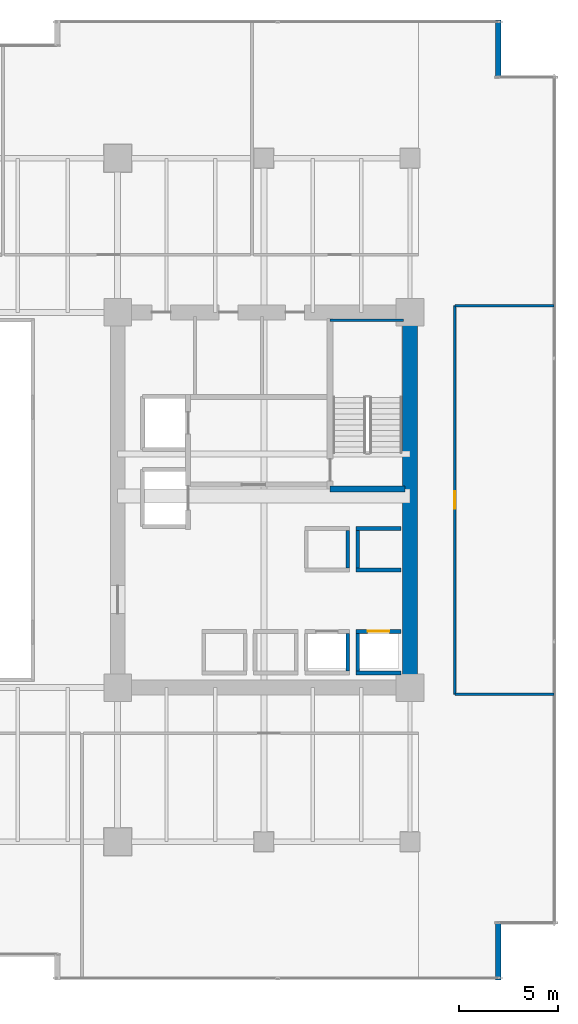
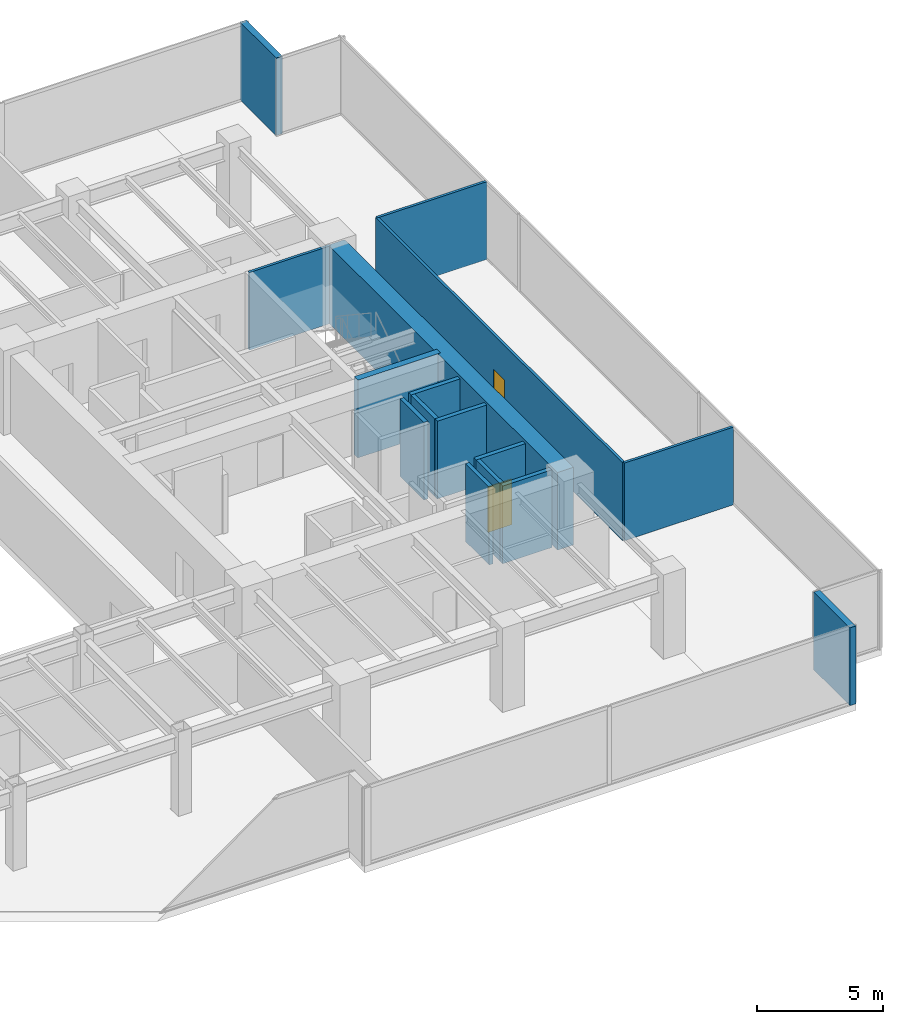
# One storey, part 32 of 37: 16 walls, 2 doors, 2 openings.
"""IFC4 building model written with IfcOpenShell, lengths in metres."""

from ifc_helpers import new_model, si_unit, direction, frame, frame_2d, origin, place, context, subcontext, project, spatial, rectangle, extrude, source, transform, mapped, material, layer, layer_set, type_object, type_shapes, element, fill, save


model = new_model("IFC4")

# Units and contexts
model_context = context("Model", 3, precision=1e-05, world=origin(), true_north=direction((0.0, 1.0)))
body_context = subcontext(model_context, "Body", "Model", "MODEL_VIEW")
ifc_project = project(units=[si_unit("LENGTHUNIT", "METRE"), si_unit("AREAUNIT", "SQUARE_METRE"), si_unit("VOLUMEUNIT", "CUBIC_METRE"), si_unit("PLANEANGLEUNIT", "RADIAN"), si_unit("MASSUNIT", "GRAM", prefix="KILO")], contexts=[model_context])

# Site, building, storey
site_placement = place(None, origin())
site = spatial("IfcSite", under=ifc_project, at=site_placement, CompositionType="ELEMENT")
building_placement = place(site_placement, origin())
building = spatial("IfcBuilding", under=site, at=building_placement, Name="Haelvirn Gate Laboratories", CompositionType="ELEMENT")
storey_placement = place(building_placement, frame((0.0, 0.0, 78.5)))
storey = spatial("IfcBuildingStorey", under=building, at=storey_placement, Name="L19", CompositionType="ELEMENT", Elevation=78.5)

# Walls
ifc_material_1 = material(Name="Thermally-broken bronze aluminium rainscreen & mineral wool", Category="aluminium")
ifc_layer_1 = layer(ifc_material_1, 0.280029296875, Name="EW-TERR-280")
ifc_layer_set_1 = layer_set([ifc_layer_1], Name="Thermally-broken bronze aluminium rainscreen & mineral wool")
wall_type_1 = type_object("IfcWallType", Name="EW-TERR-280", PredefinedType="STANDARD", material=ifc_layer_set_1)
wall_1_placement = place(storey_placement, frame((71.860107421875, 0.0, 0.0), z_axis=(0.0, 0.0, 1.0), x_axis=(0.0, 1.0, 0.0)))
element("IfcWall", 1, at=wall_1_placement, inside=storey, type_object=wall_type_1, Name="L19 Atrium Recess Bronze Return Wall 05", PredefinedType="STANDARD", context=body_context, shape_type="SweptSolid", body=[
    extrude(rectangle(XDim=2.887939453125, YDim=0.280029296875, at=frame_2d((1.44384765625, 0.0))), origin(), (0.0, 0.0, 1.0), 3.780029296875),
])
wall_2_placement = place(storey_placement, frame((71.860107421875, 45.7119140625, 0.0), z_axis=(0.0, 0.0, 1.0), x_axis=(0.0, 1.0, 0.0)))
element("IfcWall", 2, at=wall_2_placement, inside=storey, type_object=wall_type_1, Name="L19 Atrium Recess Bronze Return Wall 09", PredefinedType="STANDARD", context=body_context, shape_type="SweptSolid", body=[
    extrude(rectangle(XDim=2.88818359375, YDim=0.280029296875, at=frame_2d((1.444091796875, 0.0))), origin(), (0.0, 0.0, 1.0), 3.780029296875),
])
ifc_material_2 = material(Name="Lightweight acoustic gypsum board partition", Category="gypsum")
ifc_layer_2 = layer(ifc_material_2, 0.1201171875, Name="IW-PART-120")
ifc_layer_set_2 = layer_set([ifc_layer_2], Name="Lightweight acoustic gypsum board partition")
wall_type_2 = type_object("IfcWallType", Name="IW-PART-120", PredefinedType="PARTITIONING", material=ifc_layer_set_2)
for number, where, z_axis, x_axis, name in (
    (3, (69.669921875, 14.465087890625, 0.0), (0.0, 0.0, 1.0), (1.0, 0.0, 0.0), "L19 Interior Wall IW-L19-ECAP-S"),
    (4, (69.669921875, 34.135009765625, 0.0), (0.0, 0.0, 1.0), (1.0, 0.0, 0.0), "L19 Interior Wall IW-L19-ECAP-N"),
):
    element("IfcWall", number, at=place(storey_placement, frame(where, z_axis=z_axis, x_axis=x_axis)), inside=storey, type_object=wall_type_2, Name=name, PredefinedType="PARTITIONING", context=body_context, shape_type="SweptSolid", body=[
        extrude(rectangle(XDim=5.02001953125, YDim=0.1201171875, at=frame_2d((2.510009765625, 0.0))), origin(), (0.0, 0.0, 1.0), 3.780029296875),
    ])

# Wall, opening, door
wall_3_placement = place(storey_placement, frame((69.669921875, 14.465087890625, 0.0), z_axis=(0.0, 0.0, 1.0), x_axis=(0.0, 1.0, 0.0)))
wall_3 = element("IfcWall", 5, at=wall_3_placement, inside=storey, type_object=wall_type_2, Name="L19 Interior Wall IW-L19-EPASS-01", PredefinedType="PARTITIONING", context=body_context, shape_type="SweptSolid", body=[
    extrude(rectangle(XDim=19.669921875, YDim=0.1201171875, at=frame_2d((9.8349609375, 0.0))), origin(), (0.0, 0.0, 1.0), 3.780029296875),
])
opening_1_placement = place(wall_3_placement, frame((9.385009765625, 0.0, 0.0)))
opening_1 = element("IfcOpeningElement", 6, at=opening_1_placement, cuts=wall_3, Name="Opening D4", PredefinedType="OPENING", context=body_context, shape_type="SweptSolid", body=[
    extrude(rectangle(XDim=0.89990234375, YDim=2.10009765625, at=frame_2d((0.449951171875, 1.050048828125))), frame((0.0, 0.070068359375, 0.0), z_axis=(0.0, -1.0, 0.0), x_axis=(1.0, 0.0, 0.0)), (0.0, 0.0, 1.0), 0.14013671875),
])
ifc_material_3 = material(Name="Glazed aluminium-framed write-up door", Category="aluminium")
door_type_1 = type_object("IfcDoorType", Name="DR-OFF-900", OperationType="NOTDEFINED", PredefinedType="DOOR", material=ifc_material_3)
shared_shape_1 = source(origin(), body_context, "Body", "SweptSolid", [
    extrude(rectangle(XDim=0.89990234375, YDim=2.10009765625, at=frame_2d((0.449951171875, 1.050048828125))), frame((0.0, 0.02490234375, 0.0), z_axis=(0.0, -1.0, 0.0), x_axis=(1.0, 0.0, 0.0)), (0.0, 0.0, 1.0), 0.050048828125),
])
type_shapes(door_type_1, [shared_shape_1])
door_1_placement = place(opening_1_placement, origin())
door_1 = element("IfcDoor", 7, at=door_1_placement, inside=storey, type_object=door_type_1, Name="L19 Genomics Assay Laboratory Door E1", OperationType="SINGLE_SWING_LEFT", OverallHeight=2.10009765625, OverallWidth=0.89990234375, PredefinedType="DOOR", context=body_context, shape_type="MappedRepresentation", body=[
    mapped(shared_shape_1, transform((0.0, 0.0, 0.0), scale=1.0)),
])
fill(opening_1, door_1)

# Walls
ifc_material_4 = material(Name="Concrete C40/50", Category="concrete")
ifc_layer_3 = layer(ifc_material_4, 0.179931640625, Name="IW-SHAFT-180")
ifc_layer_set_3 = layer_set([ifc_layer_3], Name="Concrete C40/50")
wall_type_3 = type_object("IfcWallType", Name="IW-SHAFT-180", PredefinedType="SOLIDWALL", material=ifc_layer_set_3)
for number, where, z_axis, x_axis, name in (
    (8, (64.75, 15.64990234375, 0.0), (0.0, 0.0, 1.0), (0.0, 1.0, 0.0), "L19 Interior Wall IW-L19-PL3-SD"),
    (9, (64.25, 15.64990234375, 0.0), (0.0, 0.0, 1.0), (0.0, 1.0, 0.0), "L19 Interior Wall IW-L19-PL4-SDE"),
):
    element("IfcWall", number, at=place(storey_placement, frame(where, z_axis=z_axis, x_axis=x_axis)), inside=storey, type_object=wall_type_3, Name=name, PredefinedType="SOLIDWALL", context=body_context, shape_type="SweptSolid", body=[
        extrude(rectangle(XDim=1.900146484375, YDim=0.179931640625, at=frame_2d((0.9501953125, 0.0))), origin(), (0.0, 0.0, 1.0), 3.780029296875),
    ])
for number, where, z_axis, x_axis, name in (
    (10, (64.75, 20.85009765625, 0.0), (0.0, 0.0, 1.0), (0.0, 1.0, 0.0), "L19 Interior Wall IW-L19-PL11-SD"),
    (11, (64.25, 20.85009765625, 0.0), (0.0, 0.0, 1.0), (0.0, 1.0, 0.0), "L19 Interior Wall IW-L19-PL12-SDE"),
):
    element("IfcWall", number, at=place(storey_placement, frame(where, z_axis=z_axis, x_axis=x_axis)), inside=storey, type_object=wall_type_3, Name=name, PredefinedType="SOLIDWALL", context=body_context, shape_type="SweptSolid", body=[
        extrude(rectangle(XDim=1.89990234375, YDim=0.179931640625, at=frame_2d((0.949951171875, 0.0))), origin(), (0.0, 0.0, 1.0), 3.780029296875),
    ])

# Wall, opening, door
ifc_layer_4 = layer(ifc_material_4, 0.199951171875, Name="IW-SHAFT-200")
ifc_layer_set_4 = layer_set([ifc_layer_4], Name="Concrete C40/50")
wall_type_4 = type_object("IfcWallType", Name="IW-SHAFT-200", PredefinedType="SOLIDWALL", material=ifc_layer_set_4)
wall_4_placement = place(storey_placement, frame((64.669921875, 17.64990234375, 0.0), z_axis=(0.0, 0.0, 1.0), x_axis=(1.0, 0.0, 0.0)))
wall_4 = element("IfcWall", 12, at=wall_4_placement, inside=storey, type_object=wall_type_4, Name="L19 Interior Wall IW-L19-PL3-FR", PredefinedType="SOLIDWALL", context=body_context, shape_type="SweptSolid", body=[
    extrude(rectangle(XDim=2.260009765625, YDim=0.199951171875, at=frame_2d((1.1298828125, 0.0))), origin(), (0.0, 0.0, 1.0), 3.780029296875),
])
opening_2_placement = place(wall_4_placement, frame((0.580078125, 0.0, 0.0)))
opening_2 = element("IfcOpeningElement", 13, at=opening_2_placement, cuts=wall_4, Name="Opening LD2", PredefinedType="OPENING", context=body_context, shape_type="SweptSolid", body=[
    extrude(rectangle(XDim=1.10009765625, YDim=2.219970703125, at=frame_2d((0.550048828125, 1.10986328125))), frame((0.0, 0.10986328125, 0.0), z_axis=(0.0, -1.0, 0.0), x_axis=(1.0, 0.0, 0.0)), (0.0, 0.0, 1.0), 0.219970703125),
])
ifc_material_5 = material(Name="Bronze stainless 316L sliding lift landing door")
door_type_2 = type_object("IfcDoorType", Name="DR-LD-1100", OperationType="NOTDEFINED", PredefinedType="USERDEFINED", material=ifc_material_5)
shared_shape_2 = source(origin(), body_context, "Body", "SweptSolid", [
    extrude(rectangle(XDim=1.10009765625, YDim=2.219970703125, at=frame_2d((0.550048828125, 1.10986328125))), frame((0.0, 0.02490234375, 0.0), z_axis=(0.0, -1.0, 0.0), x_axis=(1.0, 0.0, 0.0)), (0.0, 0.0, 1.0), 0.050048828125),
])
type_shapes(door_type_2, [shared_shape_2])
door_2_placement = place(opening_2_placement, origin())
door_2 = element("IfcDoor", 14, at=door_2_placement, inside=storey, type_object=door_type_2, Name="L19 Passenger Lift PL3 Landing Door", ObjectType="LANDING_DOOR", OperationType="SLIDING_TO_LEFT", OverallHeight=2.219970703125, OverallWidth=1.10009765625, PredefinedType="USERDEFINED", context=body_context, shape_type="MappedRepresentation", body=[
    mapped(shared_shape_2, transform((0.0, 0.0, 0.0), scale=1.0)),
])
fill(opening_2, door_2)

# Walls
for number, where, z_axis, x_axis, name in (
    (15, (64.669921875, 15.550048828125, 0.0), (0.0, 0.0, 1.0), (1.0, 0.0, 0.0), "L19 Interior Wall IW-L19-PL3-BK"),
    (16, (64.669921875, 20.75, 0.0), (0.0, 0.0, 1.0), (1.0, 0.0, 0.0), "L19 Interior Wall IW-L19-PL11-FR"),
    (17, (64.669921875, 22.85009765625, 0.0), (0.0, 0.0, 1.0), (1.0, 0.0, 0.0), "L19 Interior Wall IW-L19-PL11-BK"),
):
    element("IfcWall", number, at=place(storey_placement, frame(where, z_axis=z_axis, x_axis=x_axis)), inside=storey, type_object=wall_type_4, Name=name, PredefinedType="SOLIDWALL", context=body_context, shape_type="SweptSolid", body=[
        extrude(rectangle(XDim=2.260009765625, YDim=0.199951171875, at=frame_2d((1.1298828125, 0.0))), origin(), (0.0, 0.0, 1.0), 3.780029296875),
    ])
ifc_material_6 = material(Name="Concrete C70/85", Category="concrete")
ifc_layer_5 = layer(ifc_material_6, 0.75, Name="SW-CORE-750")
ifc_layer_set_5 = layer_set([ifc_layer_5], Name="Concrete C70/85")
wall_type_5 = type_object("IfcWallType", Name="SW-CORE-750", PredefinedType="SHEAR", material=ifc_layer_set_5)
wall_5_placement = place(storey_placement, frame((67.39990234375, 15.175048828125, 0.0), z_axis=(0.0, 0.0, 1.0), x_axis=(0.0, 1.0, 0.0)))
element("IfcWall", 18, at=wall_5_placement, inside=storey, type_object=wall_type_5, Name="L19 E Core Shear Wall E", PredefinedType="SHEAR", context=body_context, shape_type="SweptSolid", body=[
    extrude(rectangle(XDim=18.25, YDim=0.75, at=frame_2d((9.125, 0.0))), origin(), (0.0, 0.0, 1.0), 3.780029296875),
])
ifc_material_7 = material(Name="Concrete C50/60", Category="concrete")
ifc_layer_6 = layer(ifc_material_7, 0.1201171875, Name="SW-LINER-120")
ifc_layer_set_6 = layer_set([ifc_layer_6], Name="Concrete C50/60")
wall_type_6 = type_object("IfcWallType", Name="SW-LINER-120", PredefinedType="SOLIDWALL", material=ifc_layer_set_6)
wall_6_placement = place(storey_placement, frame((63.35009765625, 33.39990234375, 0.0), z_axis=(0.0, 0.0, 1.0), x_axis=(1.0, 0.0, 0.0)))
element("IfcWall", 19, at=wall_6_placement, inside=storey, type_object=wall_type_6, Name="L19 E Core Stair Shaft Liner Wall N", PredefinedType="SOLIDWALL", context=body_context, shape_type="SweptSolid", body=[
    extrude(rectangle(XDim=3.719970703125, YDim=0.1201171875, at=frame_2d((1.85986328125, 0.0))), origin(), (0.0, 0.0, 1.0), 3.780029296875),
])
ifc_layer_7 = layer(ifc_material_7, 0.300048828125, Name="SW-STAIR-300")
ifc_layer_set_7 = layer_set([ifc_layer_7], Name="Concrete C50/60")
wall_type_7 = type_object("IfcWallType", Name="SW-STAIR-300", PredefinedType="SHEAR", material=ifc_layer_set_7)
wall_7_placement = place(storey_placement, frame((63.35009765625, 24.85009765625, 0.0), z_axis=(0.0, 0.0, 1.0), x_axis=(1.0, 0.0, 0.0)))
element("IfcWall", 20, at=wall_7_placement, inside=storey, type_object=wall_type_7, Name="L19 E Core Stair Shaft Structural Wall S", PredefinedType="SHEAR", context=body_context, shape_type="SweptSolid", body=[
    extrude(rectangle(XDim=3.7998046875, YDim=0.300048828125, at=frame_2d((1.89990234375, 0.0))), origin(), (0.0, 0.0, 1.0), 3.780029296875),
])

save(model, "model.ifc")
